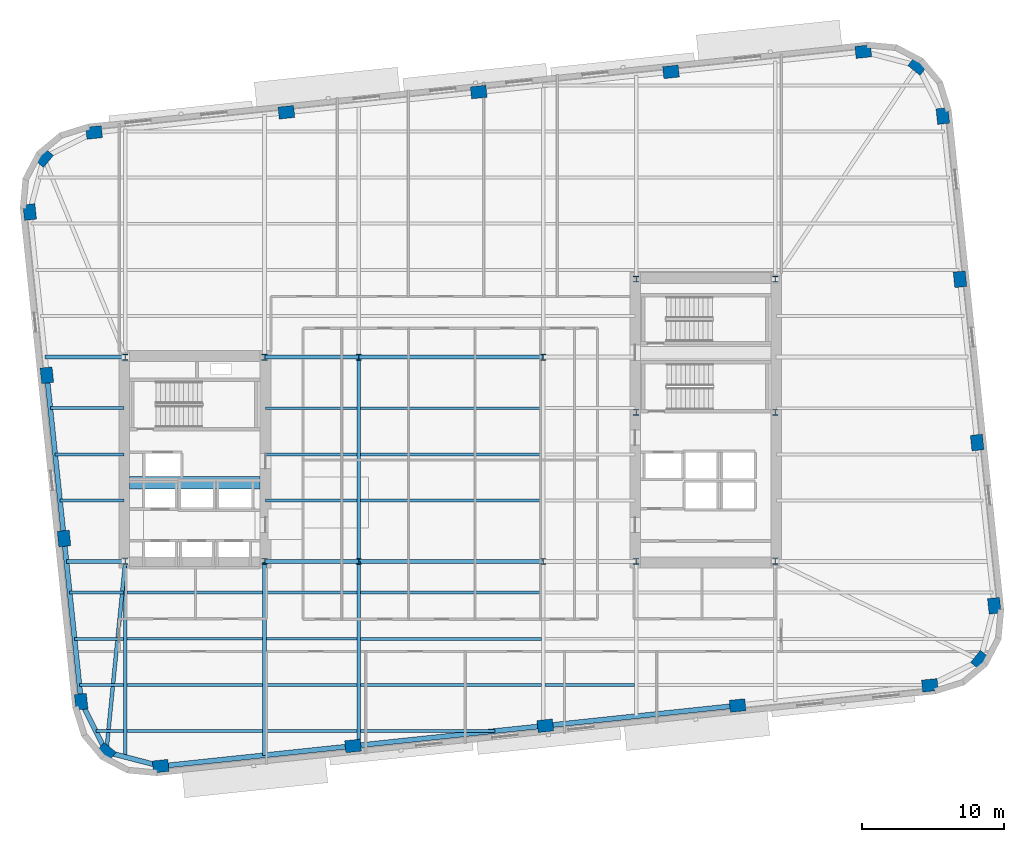
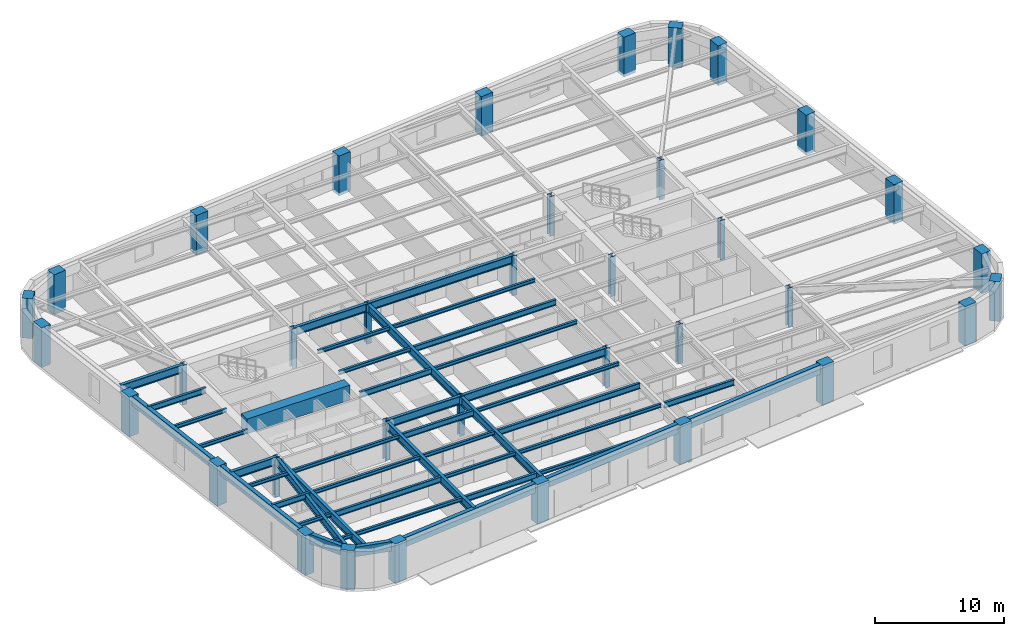
# One storey, part 1 of 13: 45 beams, 36 columns.
"""IFC4 building model written with IfcOpenShell, lengths in metres."""

from ifc_helpers import new_model, si_unit, direction, frame, origin, origin_2d, place, context, subcontext, project, spatial, rectangle, hollow_rectangle, i_section, extrude, material, material_profile, profile_set, type_object, element, save


model = new_model("IFC4")

# Units and contexts
model_context = context("Model", 3, precision=1e-05, world=origin(), true_north=direction((0.0, 1.0)))
body_context = subcontext(model_context, "Body", "Model", "MODEL_VIEW")
ifc_project = project(units=[si_unit("LENGTHUNIT", "METRE"), si_unit("AREAUNIT", "SQUARE_METRE"), si_unit("VOLUMEUNIT", "CUBIC_METRE"), si_unit("PLANEANGLEUNIT", "RADIAN"), si_unit("MASSUNIT", "GRAM", prefix="KILO")], contexts=[model_context])

# Site, building, storey
site_placement = place(None, origin())
site = spatial("IfcSite", under=ifc_project, at=site_placement, CompositionType="ELEMENT")
building_placement = place(site_placement, origin())
building = spatial("IfcBuilding", under=site, at=building_placement, Name="Kolvaren Arena Tower", CompositionType="ELEMENT")
storey_placement = place(building_placement, frame((0.0, 0.0, 145.75)))
storey = spatial("IfcBuildingStorey", under=building, at=storey_placement, Name="L34", CompositionType="ELEMENT", Elevation=145.75)

# Columns
ifc_material_1 = material(Name="Precast concrete C70/85", Category="concrete")
ifc_material_profile_1 = material_profile(ifc_material_1, rectangle(XDim=1.10009765625, YDim=0.85009765625, at=origin_2d()), Name="RC-1100x850")
ifc_profile_set_1 = profile_set([ifc_material_profile_1], Name="Precast concrete C70/85")
column_type_1 = type_object("IfcColumnType", Name="EXCOL-Z2", PredefinedType="COLUMN", material=ifc_profile_set_1)
for number, where, z_axis, x_axis, name in (
    (1, (17.0458984375, 5.024658203125, -0.27001953125), (0.0, 0.0, 1.0), (0.994521895368, 0.104528463268, 0.0), "Exoskeleton Perimeter Column 01 (L34)"),
    (2, (30.59619140625, 6.44873046875, -0.27001953125), (0.0, 0.0, 1.0), (0.994521895368, 0.104528463268, 0.0), "Exoskeleton Perimeter Column 02 (L34)"),
    (3, (44.146728515625, 7.873046875, -0.27001953125), (0.0, 0.0, 1.0), (0.994521895368, 0.104528463268, 0.0), "Exoskeleton Perimeter Column 03 (L34)"),
    (4, (57.697021484375, 9.297119140625, -0.27001953125), (0.0, 0.0, 1.0), (0.994521895368, 0.104528463268, 0.0), "Exoskeleton Perimeter Column 04 (L34)"),
    (5, (71.247314453125, 10.721435546875, -0.27001953125), (0.0, 0.0, 1.0), (0.994521895368, 0.104528463268, 0.0), "Exoskeleton Perimeter Column 05 (L34)"),
    (6, (74.790283203125, 12.49267578125, -0.27001953125), (0.0, 0.0, 1.0), (0.62932039105, 0.777145961457, 0.0), "Exoskeleton Perimeter Column 06 (L34)"),
    (7, (75.786376953125, 16.326416015625, -0.27001953125), (0.0, 0.0, 1.0), (-0.104528463268, 0.994521895368, 0.0), "Exoskeleton Perimeter Column 07 (L34)"),
    (8, (74.577392578125, 27.829833984375, -0.27001953125), (0.0, 0.0, 1.0), (-0.104528463268, 0.994521895368, 0.0), "Exoskeleton Perimeter Column 08 (L34)"),
    (9, (73.368408203125, 39.3330078125, -0.27001953125), (0.0, 0.0, 1.0), (-0.104528463268, 0.994521895368, 0.0), "Exoskeleton Perimeter Column 09 (L34)"),
    (10, (72.1591796875, 50.83642578125, -0.27001953125), (0.0, 0.0, 1.0), (-0.104528463268, 0.994521895368, 0.0), "Exoskeleton Perimeter Column 10 (L34)"),
    (11, (70.387939453125, 54.37939453125, -0.27001953125), (0.0, 0.0, 1.0), (-0.777145961457, 0.62932039105, 0.0), "Exoskeleton Perimeter Column 11 (L34)"),
    (12, (66.55419921875, 55.37548828125, -0.27001953125), (0.0, 0.0, 1.0), (0.994521895368, 0.104528463268, 0.0), "Exoskeleton Perimeter Column 12 (L34)"),
    (13, (53.003662109375, 53.951171875, -0.27001953125), (0.0, 0.0, 1.0), (0.994521895368, 0.104528463268, 0.0), "Exoskeleton Perimeter Column 13 (L34)"),
    (14, (39.453369140625, 52.527099609375, -0.27001953125), (0.0, 0.0, 1.0), (0.994521895368, 0.104528463268, 0.0), "Exoskeleton Perimeter Column 14 (L34)"),
    (15, (25.903076171875, 51.102783203125, -0.27001953125), (0.0, 0.0, 1.0), (0.994521895368, 0.104528463268, 0.0), "Exoskeleton Perimeter Column 15 (L34)"),
    (16, (12.3525390625, 49.6787109375, -0.27001953125), (0.0, 0.0, 1.0), (0.994521895368, 0.104528463268, 0.0), "Exoskeleton Perimeter Column 16 (L34)"),
    (17, (8.8095703125, 47.9072265625, -0.27001953125), (0.0, 0.0, 1.0), (0.62932039105, 0.777145961457, 0.0), "Exoskeleton Perimeter Column 17 (L34)"),
    (18, (7.813720703125, 44.073486328125, -0.27001953125), (0.0, 0.0, 1.0), (-0.104528463268, 0.994521895368, 0.0), "Exoskeleton Perimeter Column 18 (L34)"),
    (19, (9.022705078125, 32.5703125, -0.27001953125), (0.0, 0.0, 1.0), (-0.104528463268, 0.994521895368, 0.0), "Exoskeleton Perimeter Column 19 (L34)"),
    (20, (10.231689453125, 21.06689453125, -0.27001953125), (0.0, 0.0, 1.0), (-0.104528463268, 0.994521895368, 0.0), "Exoskeleton Perimeter Column 20 (L34)"),
    (21, (11.44091796875, 9.5634765625, -0.27001953125), (0.0, 0.0, 1.0), (-0.104528463268, 0.994521895368, 0.0), "Exoskeleton Perimeter Column 21 (L34)"),
    (22, (13.212158203125, 6.0205078125, -0.27001953125), (0.0, 0.0, 1.0), (-0.777145961457, 0.62932039105, 0.0), "Exoskeleton Perimeter Column 22 (L34)"),
):
    element("IfcColumn", number, at=place(storey_placement, frame(where, z_axis=z_axis, x_axis=x_axis)), inside=storey, type_object=column_type_1, Name=name, PredefinedType="COLUMN", context=body_context, shape_type="SweptSolid", body=[
        extrude(rectangle(XDim=1.10009765625, YDim=0.85009765625, at=origin_2d()), origin(), (0.0, 0.0, 1.0), 3.75),
    ])
ifc_material_2 = material(Name="Steel ASTM A913 Grade 65", Category="steel")
ifc_material_profile_2 = material_profile(ifc_material_2, i_section(OverallWidth=0.416015625, OverallDepth=0.446044921875, WebThickness=0.0390625, FlangeThickness=0.062744140625, FilletRadius=0.02001953125, at=origin_2d()), Name="W360x509")
ifc_profile_set_2 = profile_set([ifc_material_profile_2], Name="Steel ASTM A913 Grade 65")
column_type_2 = type_object("IfcColumnType", Name="SCOL-Z2", PredefinedType="COLUMN", material=ifc_profile_set_2)
for number, where, z_axis, x_axis, name in (
    (23, (14.550048828125, 19.449951171875, -0.27001953125), (0.0, 0.0, 1.0), (1.0, 0.0, 0.0), "Core Boundary Column WC-SW (L34)"),
    (24, (24.35009765625, 19.449951171875, -0.27001953125), (0.0, 0.0, 1.0), (1.0, 0.0, 0.0), "Core Boundary Column WC-SE (L34)"),
    (25, (14.550048828125, 33.85009765625, -0.27001953125), (0.0, 0.0, 1.0), (1.0, 0.0, 0.0), "Core Boundary Column WC-NW (L34)"),
    (26, (24.35009765625, 33.85009765625, -0.27001953125), (0.0, 0.0, 1.0), (1.0, 0.0, 0.0), "Core Boundary Column WC-NE (L34)"),
    (27, (50.550048828125, 19.449951171875, -0.27001953125), (0.0, 0.0, 1.0), (1.0, 0.0, 0.0), "Core Boundary Column EC-SW (L34)"),
    (28, (60.35009765625, 19.449951171875, -0.27001953125), (0.0, 0.0, 1.0), (1.0, 0.0, 0.0), "Core Boundary Column EC-SE (L34)"),
    (29, (50.550048828125, 29.949951171875, -0.27001953125), (0.0, 0.0, 1.0), (1.0, 0.0, 0.0), "Core Boundary Column EC-MW (L34)"),
    (30, (60.35009765625, 29.949951171875, -0.27001953125), (0.0, 0.0, 1.0), (1.0, 0.0, 0.0), "Core Boundary Column EC-ME (L34)"),
    (31, (50.550048828125, 39.35009765625, -0.27001953125), (0.0, 0.0, 1.0), (1.0, 0.0, 0.0), "Core Boundary Column EC-NW (L34)"),
    (32, (60.35009765625, 39.35009765625, -0.27001953125), (0.0, 0.0, 1.0), (1.0, 0.0, 0.0), "Core Boundary Column EC-NE (L34)"),
    (33, (31.0, 19.449951171875, -0.27001953125), (0.0, 0.0, 1.0), (1.0, 0.0, 0.0), "Interior Gravity Column TC-SW (L34)"),
    (34, (44.0, 19.449951171875, -0.27001953125), (0.0, 0.0, 1.0), (1.0, 0.0, 0.0), "Interior Gravity Column TC-SE (L34)"),
    (35, (31.0, 33.85009765625, -0.27001953125), (0.0, 0.0, 1.0), (1.0, 0.0, 0.0), "Interior Gravity Column TC-NW (L34)"),
    (36, (44.0, 33.85009765625, -0.27001953125), (0.0, 0.0, 1.0), (1.0, 0.0, 0.0), "Interior Gravity Column TC-NE (L34)"),
):
    element("IfcColumn", number, at=place(storey_placement, frame(where, z_axis=z_axis, x_axis=x_axis)), inside=storey, type_object=column_type_2, Name=name, PredefinedType="COLUMN", context=body_context, shape_type="SweptSolid", body=[
        extrude(i_section(OverallWidth=0.416015625, OverallDepth=0.446044921875, WebThickness=0.0390625, FlangeThickness=0.062744140625, FilletRadius=0.02001953125, at=origin_2d()), origin(), (0.0, 0.0, 1.0), 3.75),
    ])

# Beams
ifc_material_3 = material(Name="Steel CSA G40.21 350W", Category="steel")
ifc_material_profile_3 = material_profile(ifc_material_3, i_section(OverallWidth=0.2119140625, OverallDepth=0.54296875, WebThickness=0.01318359375, FlangeThickness=0.0244140625, FilletRadius=0.013916015625, at=origin_2d()), Name="W530x150")
ifc_profile_set_3 = profile_set([ifc_material_profile_3], Name="Steel CSA G40.21 350W")
beam_type_1 = type_object("IfcBeamType", Name="BEAM-F1", PredefinedType="BEAM", material=ifc_profile_set_3)
beam_1_placement = place(storey_placement, frame((24.485107421875, 7.5, 3.20849609375), z_axis=(1.0, 0.0, 0.0), x_axis=(0.0, 1.0, 0.0)))
element("IfcBeam", 37, at=beam_1_placement, inside=storey, type_object=beam_type_1, Name="Composite Floor Beam (L34)", PredefinedType="BEAM", context=body_context, shape_type="SweptSolid", body=[
    extrude(i_section(OverallWidth=0.2119140625, OverallDepth=0.54296875, WebThickness=0.01318359375, FlangeThickness=0.0244140625, FilletRadius=0.013916015625, at=origin_2d()), origin(), (0.0, 0.0, 1.0), 6.3798828125),
])
beam_2_placement = place(storey_placement, frame((14.68505859375, 10.75, 3.20849609375), z_axis=(1.0, 0.0, 0.0), x_axis=(0.0, 1.0, 0.0)))
element("IfcBeam", 38, at=beam_2_placement, inside=storey, type_object=beam_type_1, Name="Composite Floor Beam (L34)", PredefinedType="BEAM", context=body_context, shape_type="SweptSolid", body=[
    extrude(i_section(OverallWidth=0.2119140625, OverallDepth=0.54296875, WebThickness=0.01318359375, FlangeThickness=0.0244140625, FilletRadius=0.013916015625, at=origin_2d()), origin(), (0.0, 0.0, 1.0), 9.530029296875),
])
beam_3_placement = place(storey_placement, frame((44.135009765625, 10.75, 3.20849609375), z_axis=(1.0, 0.0, 0.0), x_axis=(0.0, 1.0, 0.0)))
element("IfcBeam", 39, at=beam_3_placement, inside=storey, type_object=beam_type_1, Name="Composite Floor Beam (L34)", PredefinedType="BEAM", context=body_context, shape_type="SweptSolid", body=[
    extrude(i_section(OverallWidth=0.2119140625, OverallDepth=0.54296875, WebThickness=0.01318359375, FlangeThickness=0.0244140625, FilletRadius=0.013916015625, at=origin_2d()), origin(), (0.0, 0.0, 1.0), 6.280029296875),
])
beam_4_placement = place(storey_placement, frame((10.974609375, 14.0, 3.20849609375), z_axis=(1.0, 0.0, 0.0), x_axis=(0.0, 1.0, 0.0)))
element("IfcBeam", 40, at=beam_4_placement, inside=storey, type_object=beam_type_1, Name="Composite Floor Beam (L34)", PredefinedType="BEAM", context=body_context, shape_type="SweptSolid", body=[
    extrude(i_section(OverallWidth=0.2119140625, OverallDepth=0.54296875, WebThickness=0.01318359375, FlangeThickness=0.0244140625, FilletRadius=0.013916015625, at=origin_2d()), origin(), (0.0, 0.0, 1.0), 3.4404296875),
])
beam_5_placement = place(storey_placement, frame((31.135009765625, 14.0, 3.20849609375), z_axis=(1.0, 0.0, 0.0), x_axis=(0.0, 1.0, 0.0)))
element("IfcBeam", 41, at=beam_5_placement, inside=storey, type_object=beam_type_1, Name="Composite Floor Beam (L34)", PredefinedType="BEAM", context=body_context, shape_type="SweptSolid", body=[
    extrude(i_section(OverallWidth=0.2119140625, OverallDepth=0.54296875, WebThickness=0.01318359375, FlangeThickness=0.0244140625, FilletRadius=0.013916015625, at=origin_2d()), origin(), (0.0, 0.0, 1.0), 12.72998046875),
])
beam_6_placement = place(storey_placement, frame((24.485107421875, 17.25, 3.20849609375), z_axis=(1.0, 0.0, 0.0), x_axis=(0.0, 1.0, 0.0)))
element("IfcBeam", 42, at=beam_6_placement, inside=storey, type_object=beam_type_1, Name="Composite Floor Beam (L34)", PredefinedType="BEAM", context=body_context, shape_type="SweptSolid", body=[
    extrude(i_section(OverallWidth=0.2119140625, OverallDepth=0.54296875, WebThickness=0.01318359375, FlangeThickness=0.0244140625, FilletRadius=0.013916015625, at=origin_2d()), origin(), (0.0, 0.0, 1.0), 6.3798828125),
])
beam_7_placement = place(storey_placement, frame((24.445068359375, 23.75, 3.20849609375), z_axis=(1.0, 0.0, 0.0), x_axis=(0.0, 1.0, 0.0)))
element("IfcBeam", 43, at=beam_7_placement, inside=storey, type_object=beam_type_1, Name="Composite Floor Beam (L34)", PredefinedType="BEAM", context=body_context, shape_type="SweptSolid", body=[
    extrude(i_section(OverallWidth=0.2119140625, OverallDepth=0.54296875, WebThickness=0.01318359375, FlangeThickness=0.0244140625, FilletRadius=0.013916015625, at=origin_2d()), origin(), (0.0, 0.0, 1.0), 6.419921875),
])
beam_8_placement = place(storey_placement, frame((31.135009765625, 27.0, 3.20849609375), z_axis=(1.0, 0.0, 0.0), x_axis=(0.0, 1.0, 0.0)))
element("IfcBeam", 44, at=beam_8_placement, inside=storey, type_object=beam_type_1, Name="Composite Floor Beam (L34)", PredefinedType="BEAM", context=body_context, shape_type="SweptSolid", body=[
    extrude(i_section(OverallWidth=0.2119140625, OverallDepth=0.54296875, WebThickness=0.01318359375, FlangeThickness=0.0244140625, FilletRadius=0.013916015625, at=origin_2d()), origin(), (0.0, 0.0, 1.0), 12.72998046875),
])
beam_9_placement = place(storey_placement, frame((9.2666015625, 30.25, 3.20849609375), z_axis=(1.0, 0.0, 0.0), x_axis=(0.0, 1.0, 0.0)))
element("IfcBeam", 45, at=beam_9_placement, inside=storey, type_object=beam_type_1, Name="Composite Floor Beam (L34)", PredefinedType="BEAM", context=body_context, shape_type="SweptSolid", body=[
    extrude(i_section(OverallWidth=0.2119140625, OverallDepth=0.54296875, WebThickness=0.01318359375, FlangeThickness=0.0244140625, FilletRadius=0.013916015625, at=origin_2d()), origin(), (0.0, 0.0, 1.0), 5.1884765625),
])
ifc_material_4 = material(Name="Concrete 75 MPa", Category="concrete")
ifc_material_profile_4 = material_profile(ifc_material_4, rectangle(XDim=0.89990234375, YDim=1.39990234375, at=origin_2d()), Name="RC-900x1400")
ifc_profile_set_4 = profile_set([ifc_material_profile_4], Name="Concrete 75 MPa")
beam_type_2 = type_object("IfcBeamType", Name="CB-CORE-1", PredefinedType="BEAM", material=ifc_profile_set_4)
beam_10_placement = place(storey_placement, frame((14.85009765625, 25.0, 3.050048828125), z_axis=(1.0, 0.0, 0.0), x_axis=(0.0, 1.0, 0.0)))
element("IfcBeam", 46, at=beam_10_placement, inside=storey, type_object=beam_type_2, Name="West Core Coupling Beam (L34)", PredefinedType="BEAM", context=body_context, shape_type="SweptSolid", body=[
    extrude(rectangle(XDim=0.89990234375, YDim=1.39990234375, at=origin_2d()), origin(), (0.0, 0.0, 1.0), 9.199951171875),
])
ifc_material_profile_5 = material_profile(ifc_material_3, i_section(OverallWidth=0.27001953125, OverallDepth=0.77294921875, WebThickness=0.019287109375, FlangeThickness=0.033447265625, FilletRadius=0.01806640625, at=origin_2d()), Name="W760x257")
ifc_profile_set_5 = profile_set([ifc_material_profile_5], Name="Steel CSA G40.21 350W")
beam_type_3 = type_object("IfcBeamType", Name="GIRD-T1", PredefinedType="BEAM", material=ifc_profile_set_5)
beam_11_placement = place(storey_placement, frame((13.212158203125, 6.0205078125, 3.093505859375), z_axis=(0.099132957575, 0.995074196592, 0.0), x_axis=(-0.995074196592, 0.099132957575, 0.0)))
element("IfcBeam", 47, at=beam_11_placement, inside=storey, type_object=beam_type_3, Name="Corner Diagonal Tie Girder (L34)", PredefinedType="BEAM", context=body_context, shape_type="SweptSolid", body=[
    extrude(i_section(OverallWidth=0.27001953125, OverallDepth=0.77294921875, WebThickness=0.019287109375, FlangeThickness=0.033447265625, FilletRadius=0.01806640625, at=origin_2d()), origin(), (0.0, 0.0, 1.0), 13.495849609375),
])
beam_12_placement = place(storey_placement, frame((10.401611328125, 19.449951171875, 3.093505859375), z_axis=(1.0, 0.0, 0.0), x_axis=(0.0, 1.0, 0.0)))
element("IfcBeam", 48, at=beam_12_placement, inside=storey, type_object=beam_type_3, Name="Primary Floor Girder (L34)", PredefinedType="BEAM", context=body_context, shape_type="SweptSolid", body=[
    extrude(i_section(OverallWidth=0.27001953125, OverallDepth=0.77294921875, WebThickness=0.019287109375, FlangeThickness=0.033447265625, FilletRadius=0.01806640625, at=origin_2d()), origin(), (0.0, 0.0, 1.0), 4.093505859375),
])
beam_13_placement = place(storey_placement, frame((24.405029296875, 19.449951171875, 3.093505859375), z_axis=(1.0, 0.0, 0.0), x_axis=(0.0, 1.0, 0.0)))
element("IfcBeam", 49, at=beam_13_placement, inside=storey, type_object=beam_type_3, Name="Primary Floor Girder (L34)", PredefinedType="BEAM", context=body_context, shape_type="SweptSolid", body=[
    extrude(i_section(OverallWidth=0.27001953125, OverallDepth=0.77294921875, WebThickness=0.019287109375, FlangeThickness=0.033447265625, FilletRadius=0.01806640625, at=origin_2d()), origin(), (0.0, 0.0, 1.0), 6.594970703125),
])
beam_14_placement = place(storey_placement, frame((31.0, 19.449951171875, 3.093505859375), z_axis=(1.0, 0.0, 0.0), x_axis=(0.0, 1.0, 0.0)))
element("IfcBeam", 50, at=beam_14_placement, inside=storey, type_object=beam_type_3, Name="Primary Floor Girder (L34)", PredefinedType="BEAM", context=body_context, shape_type="SweptSolid", body=[
    extrude(i_section(OverallWidth=0.27001953125, OverallDepth=0.77294921875, WebThickness=0.019287109375, FlangeThickness=0.033447265625, FilletRadius=0.01806640625, at=origin_2d()), origin(), (0.0, 0.0, 1.0), 13.0),
])
beam_15_placement = place(storey_placement, frame((8.88818359375, 33.85009765625, 3.093505859375), z_axis=(1.0, 0.0, 0.0), x_axis=(0.0, 1.0, 0.0)))
element("IfcBeam", 51, at=beam_15_placement, inside=storey, type_object=beam_type_3, Name="Primary Floor Girder (L34)", PredefinedType="BEAM", context=body_context, shape_type="SweptSolid", body=[
    extrude(i_section(OverallWidth=0.27001953125, OverallDepth=0.77294921875, WebThickness=0.019287109375, FlangeThickness=0.033447265625, FilletRadius=0.01806640625, at=origin_2d()), origin(), (0.0, 0.0, 1.0), 5.60693359375),
])
beam_16_placement = place(storey_placement, frame((24.405029296875, 33.85009765625, 3.093505859375), z_axis=(1.0, 0.0, 0.0), x_axis=(0.0, 1.0, 0.0)))
element("IfcBeam", 52, at=beam_16_placement, inside=storey, type_object=beam_type_3, Name="Primary Floor Girder (L34)", PredefinedType="BEAM", context=body_context, shape_type="SweptSolid", body=[
    extrude(i_section(OverallWidth=0.27001953125, OverallDepth=0.77294921875, WebThickness=0.019287109375, FlangeThickness=0.033447265625, FilletRadius=0.01806640625, at=origin_2d()), origin(), (0.0, 0.0, 1.0), 6.594970703125),
])
beam_17_placement = place(storey_placement, frame((31.0, 33.85009765625, 3.093505859375), z_axis=(1.0, 0.0, 0.0), x_axis=(0.0, 1.0, 0.0)))
element("IfcBeam", 53, at=beam_17_placement, inside=storey, type_object=beam_type_3, Name="Primary Floor Girder (L34)", PredefinedType="BEAM", context=body_context, shape_type="SweptSolid", body=[
    extrude(i_section(OverallWidth=0.27001953125, OverallDepth=0.77294921875, WebThickness=0.019287109375, FlangeThickness=0.033447265625, FilletRadius=0.01806640625, at=origin_2d()), origin(), (0.0, 0.0, 1.0), 13.0),
])
beam_18_placement = place(storey_placement, frame((14.550048828125, 5.673095703125, 3.093505859375), z_axis=(0.0, 1.0, 0.0), x_axis=(-1.0, 0.0, 0.0)))
element("IfcBeam", 54, at=beam_18_placement, inside=storey, type_object=beam_type_3, Name="Primary Floor Girder (L34)", PredefinedType="BEAM", context=body_context, shape_type="SweptSolid", body=[
    extrude(i_section(OverallWidth=0.27001953125, OverallDepth=0.77294921875, WebThickness=0.019287109375, FlangeThickness=0.033447265625, FilletRadius=0.01806640625, at=origin_2d()), origin(), (0.0, 0.0, 1.0), 13.721923828125),
])
beam_19_placement = place(storey_placement, frame((24.35009765625, 5.792236328125, 3.093505859375), z_axis=(0.0, 1.0, 0.0), x_axis=(-1.0, 0.0, 0.0)))
element("IfcBeam", 55, at=beam_19_placement, inside=storey, type_object=beam_type_3, Name="Primary Floor Girder (L34)", PredefinedType="BEAM", context=body_context, shape_type="SweptSolid", body=[
    extrude(i_section(OverallWidth=0.27001953125, OverallDepth=0.77294921875, WebThickness=0.019287109375, FlangeThickness=0.033447265625, FilletRadius=0.01806640625, at=origin_2d()), origin(), (0.0, 0.0, 1.0), 13.602783203125),
])
beam_20_placement = place(storey_placement, frame((31.0, 6.4912109375, 3.093505859375), z_axis=(0.0, 1.0, 0.0), x_axis=(-1.0, 0.0, 0.0)))
element("IfcBeam", 56, at=beam_20_placement, inside=storey, type_object=beam_type_3, Name="Primary Floor Girder (L34)", PredefinedType="BEAM", context=body_context, shape_type="SweptSolid", body=[
    extrude(i_section(OverallWidth=0.27001953125, OverallDepth=0.77294921875, WebThickness=0.019287109375, FlangeThickness=0.033447265625, FilletRadius=0.01806640625, at=origin_2d()), origin(), (0.0, 0.0, 1.0), 12.958740234375),
])
beam_21_placement = place(storey_placement, frame((31.0, 19.449951171875, 3.093505859375), z_axis=(0.0, 1.0, 0.0), x_axis=(-1.0, 0.0, 0.0)))
element("IfcBeam", 57, at=beam_21_placement, inside=storey, type_object=beam_type_3, Name="Primary Floor Girder (L34)", PredefinedType="BEAM", context=body_context, shape_type="SweptSolid", body=[
    extrude(i_section(OverallWidth=0.27001953125, OverallDepth=0.77294921875, WebThickness=0.019287109375, FlangeThickness=0.033447265625, FilletRadius=0.01806640625, at=origin_2d()), origin(), (0.0, 0.0, 1.0), 14.400146484375),
])
ifc_material_profile_6 = material_profile(ifc_material_3, i_section(OverallWidth=0.202880859375, OverallDepth=0.346923828125, WebThickness=0.0078125, FlangeThickness=0.013427734375, FilletRadius=0.010986328125, at=origin_2d()), Name="W360x64")
ifc_profile_set_6 = profile_set([ifc_material_profile_6], Name="Steel CSA G40.21 350W")
beam_type_4 = type_object("IfcBeamType", Name="JOIST-01", PredefinedType="JOIST", material=ifc_profile_set_6)
beam_22_placement = place(storey_placement, frame((12.472412109375, 7.5, 3.306396484375), z_axis=(1.0, 0.0, 0.0), x_axis=(0.0, 1.0, 0.0)))
element("IfcBeam", 58, at=beam_22_placement, inside=storey, type_object=beam_type_4, Name="Composite Floor Joist (L34)", PredefinedType="JOIST", context=body_context, shape_type="SweptSolid", body=[
    extrude(i_section(OverallWidth=0.202880859375, OverallDepth=0.346923828125, WebThickness=0.0078125, FlangeThickness=0.013427734375, FilletRadius=0.010986328125, at=origin_2d()), origin(), (0.0, 0.0, 1.0), 1.942626953125),
])
beam_23_placement = place(storey_placement, frame((14.68505859375, 7.5, 3.306396484375), z_axis=(1.0, 0.0, 0.0), x_axis=(0.0, 1.0, 0.0)))
element("IfcBeam", 59, at=beam_23_placement, inside=storey, type_object=beam_type_4, Name="Composite Floor Joist (L34)", PredefinedType="JOIST", context=body_context, shape_type="SweptSolid", body=[
    extrude(i_section(OverallWidth=0.202880859375, OverallDepth=0.346923828125, WebThickness=0.0078125, FlangeThickness=0.013427734375, FilletRadius=0.010986328125, at=origin_2d()), origin(), (0.0, 0.0, 1.0), 9.530029296875),
])
beam_24_placement = place(storey_placement, frame((31.135009765625, 7.5, 3.306396484375), z_axis=(1.0, 0.0, 0.0), x_axis=(0.0, 1.0, 0.0)))
element("IfcBeam", 60, at=beam_24_placement, inside=storey, type_object=beam_type_4, Name="Composite Floor Joist (L34)", PredefinedType="JOIST", context=body_context, shape_type="SweptSolid", body=[
    extrude(i_section(OverallWidth=0.202880859375, OverallDepth=0.346923828125, WebThickness=0.0078125, FlangeThickness=0.013427734375, FilletRadius=0.010986328125, at=origin_2d()), origin(), (0.0, 0.0, 1.0), 9.462890625),
])
beam_25_placement = place(storey_placement, frame((11.316162109375, 10.75, 3.306396484375), z_axis=(1.0, 0.0, 0.0), x_axis=(0.0, 1.0, 0.0)))
element("IfcBeam", 61, at=beam_25_placement, inside=storey, type_object=beam_type_4, Name="Composite Floor Joist (L34)", PredefinedType="JOIST", context=body_context, shape_type="SweptSolid", body=[
    extrude(i_section(OverallWidth=0.202880859375, OverallDepth=0.346923828125, WebThickness=0.0078125, FlangeThickness=0.013427734375, FilletRadius=0.010986328125, at=origin_2d()), origin(), (0.0, 0.0, 1.0), 3.098876953125),
])
beam_26_placement = place(storey_placement, frame((24.485107421875, 10.75, 3.306396484375), z_axis=(1.0, 0.0, 0.0), x_axis=(0.0, 1.0, 0.0)))
element("IfcBeam", 62, at=beam_26_placement, inside=storey, type_object=beam_type_4, Name="Composite Floor Joist (L34)", PredefinedType="JOIST", context=body_context, shape_type="SweptSolid", body=[
    extrude(i_section(OverallWidth=0.202880859375, OverallDepth=0.346923828125, WebThickness=0.0078125, FlangeThickness=0.013427734375, FilletRadius=0.010986328125, at=origin_2d()), origin(), (0.0, 0.0, 1.0), 6.3798828125),
])
beam_27_placement = place(storey_placement, frame((31.135009765625, 10.75, 3.306396484375), z_axis=(1.0, 0.0, 0.0), x_axis=(0.0, 1.0, 0.0)))
element("IfcBeam", 63, at=beam_27_placement, inside=storey, type_object=beam_type_4, Name="Composite Floor Joist (L34)", PredefinedType="JOIST", context=body_context, shape_type="SweptSolid", body=[
    extrude(i_section(OverallWidth=0.202880859375, OverallDepth=0.346923828125, WebThickness=0.0078125, FlangeThickness=0.013427734375, FilletRadius=0.010986328125, at=origin_2d()), origin(), (0.0, 0.0, 1.0), 12.72998046875),
])
beam_28_placement = place(storey_placement, frame((14.68505859375, 14.0, 3.306396484375), z_axis=(1.0, 0.0, 0.0), x_axis=(0.0, 1.0, 0.0)))
element("IfcBeam", 64, at=beam_28_placement, inside=storey, type_object=beam_type_4, Name="Composite Floor Joist (L34)", PredefinedType="JOIST", context=body_context, shape_type="SweptSolid", body=[
    extrude(i_section(OverallWidth=0.202880859375, OverallDepth=0.346923828125, WebThickness=0.0078125, FlangeThickness=0.013427734375, FilletRadius=0.010986328125, at=origin_2d()), origin(), (0.0, 0.0, 1.0), 9.530029296875),
])
beam_29_placement = place(storey_placement, frame((24.485107421875, 14.0, 3.306396484375), z_axis=(1.0, 0.0, 0.0), x_axis=(0.0, 1.0, 0.0)))
element("IfcBeam", 65, at=beam_29_placement, inside=storey, type_object=beam_type_4, Name="Composite Floor Joist (L34)", PredefinedType="JOIST", context=body_context, shape_type="SweptSolid", body=[
    extrude(i_section(OverallWidth=0.202880859375, OverallDepth=0.346923828125, WebThickness=0.0078125, FlangeThickness=0.013427734375, FilletRadius=0.010986328125, at=origin_2d()), origin(), (0.0, 0.0, 1.0), 6.3798828125),
])
beam_30_placement = place(storey_placement, frame((10.6328125, 17.25, 3.306396484375), z_axis=(1.0, 0.0, 0.0), x_axis=(0.0, 1.0, 0.0)))
element("IfcBeam", 66, at=beam_30_placement, inside=storey, type_object=beam_type_4, Name="Composite Floor Joist (L34)", PredefinedType="JOIST", context=body_context, shape_type="SweptSolid", body=[
    extrude(i_section(OverallWidth=0.202880859375, OverallDepth=0.346923828125, WebThickness=0.0078125, FlangeThickness=0.013427734375, FilletRadius=0.010986328125, at=origin_2d()), origin(), (0.0, 0.0, 1.0), 3.7822265625),
])
beam_31_placement = place(storey_placement, frame((14.68505859375, 17.25, 3.306396484375), z_axis=(1.0, 0.0, 0.0), x_axis=(0.0, 1.0, 0.0)))
element("IfcBeam", 67, at=beam_31_placement, inside=storey, type_object=beam_type_4, Name="Composite Floor Joist (L34)", PredefinedType="JOIST", context=body_context, shape_type="SweptSolid", body=[
    extrude(i_section(OverallWidth=0.202880859375, OverallDepth=0.346923828125, WebThickness=0.0078125, FlangeThickness=0.013427734375, FilletRadius=0.010986328125, at=origin_2d()), origin(), (0.0, 0.0, 1.0), 9.530029296875),
])
beam_32_placement = place(storey_placement, frame((31.135009765625, 17.25, 3.306396484375), z_axis=(1.0, 0.0, 0.0), x_axis=(0.0, 1.0, 0.0)))
element("IfcBeam", 68, at=beam_32_placement, inside=storey, type_object=beam_type_4, Name="Composite Floor Joist (L34)", PredefinedType="JOIST", context=body_context, shape_type="SweptSolid", body=[
    extrude(i_section(OverallWidth=0.202880859375, OverallDepth=0.346923828125, WebThickness=0.0078125, FlangeThickness=0.013427734375, FilletRadius=0.010986328125, at=origin_2d()), origin(), (0.0, 0.0, 1.0), 12.72998046875),
])
beam_33_placement = place(storey_placement, frame((9.94970703125, 23.75, 3.306396484375), z_axis=(1.0, 0.0, 0.0), x_axis=(0.0, 1.0, 0.0)))
element("IfcBeam", 69, at=beam_33_placement, inside=storey, type_object=beam_type_4, Name="Composite Floor Joist (L34)", PredefinedType="JOIST", context=body_context, shape_type="SweptSolid", body=[
    extrude(i_section(OverallWidth=0.202880859375, OverallDepth=0.346923828125, WebThickness=0.0078125, FlangeThickness=0.013427734375, FilletRadius=0.010986328125, at=origin_2d()), origin(), (0.0, 0.0, 1.0), 4.50537109375),
])
beam_34_placement = place(storey_placement, frame((31.135009765625, 23.75, 3.306396484375), z_axis=(1.0, 0.0, 0.0), x_axis=(0.0, 1.0, 0.0)))
element("IfcBeam", 70, at=beam_34_placement, inside=storey, type_object=beam_type_4, Name="Composite Floor Joist (L34)", PredefinedType="JOIST", context=body_context, shape_type="SweptSolid", body=[
    extrude(i_section(OverallWidth=0.202880859375, OverallDepth=0.346923828125, WebThickness=0.0078125, FlangeThickness=0.013427734375, FilletRadius=0.010986328125, at=origin_2d()), origin(), (0.0, 0.0, 1.0), 12.72998046875),
])
beam_35_placement = place(storey_placement, frame((9.608154296875, 27.0, 3.306396484375), z_axis=(1.0, 0.0, 0.0), x_axis=(0.0, 1.0, 0.0)))
element("IfcBeam", 71, at=beam_35_placement, inside=storey, type_object=beam_type_4, Name="Composite Floor Joist (L34)", PredefinedType="JOIST", context=body_context, shape_type="SweptSolid", body=[
    extrude(i_section(OverallWidth=0.202880859375, OverallDepth=0.346923828125, WebThickness=0.0078125, FlangeThickness=0.013427734375, FilletRadius=0.010986328125, at=origin_2d()), origin(), (0.0, 0.0, 1.0), 4.846923828125),
])
for number, where, z_axis, x_axis, name in (
    (72, (24.445068359375, 27.0, 3.306396484375), (1.0, 0.0, 0.0), (0.0, 1.0, 0.0), "Composite Floor Joist (L34)"),
    (73, (24.445068359375, 30.25, 3.306396484375), (1.0, 0.0, 0.0), (0.0, 1.0, 0.0), "Composite Floor Joist (L34)"),
):
    element("IfcBeam", number, at=place(storey_placement, frame(where, z_axis=z_axis, x_axis=x_axis)), inside=storey, type_object=beam_type_4, Name=name, PredefinedType="JOIST", context=body_context, shape_type="SweptSolid", body=[
        extrude(i_section(OverallWidth=0.202880859375, OverallDepth=0.346923828125, WebThickness=0.0078125, FlangeThickness=0.013427734375, FilletRadius=0.010986328125, at=origin_2d()), origin(), (0.0, 0.0, 1.0), 6.419921875),
    ])
beam_36_placement = place(storey_placement, frame((31.135009765625, 30.25, 3.306396484375), z_axis=(1.0, 0.0, 0.0), x_axis=(0.0, 1.0, 0.0)))
element("IfcBeam", 74, at=beam_36_placement, inside=storey, type_object=beam_type_4, Name="Composite Floor Joist (L34)", PredefinedType="JOIST", context=body_context, shape_type="SweptSolid", body=[
    extrude(i_section(OverallWidth=0.202880859375, OverallDepth=0.346923828125, WebThickness=0.0078125, FlangeThickness=0.013427734375, FilletRadius=0.010986328125, at=origin_2d()), origin(), (0.0, 0.0, 1.0), 12.72998046875),
])
ifc_material_5 = material(Name="Steel CSA G40.21 350WT", Category="steel")
ifc_material_profile_7 = material_profile(ifc_material_5, hollow_rectangle(XDim=0.35009765625, YDim=0.89990234375, WallThickness=0.02001953125, at=origin_2d()), Name="HSS 900x350x20")
ifc_profile_set_7 = profile_set([ifc_material_profile_7], Name="Steel CSA G40.21 350WT")
beam_type_5 = type_object("IfcBeamType", Name="SPAND-01", PredefinedType="SPANDREL", material=ifc_profile_set_7)
beam_37_placement = place(storey_placement, frame((17.0458984375, 5.024658203125, 3.030029296875), z_axis=(0.994522817887, 0.104519685718, 0.0), x_axis=(-0.104519685718, 0.994522817887, 0.0)))
element("IfcBeam", 75, at=beam_37_placement, inside=storey, type_object=beam_type_5, Name="Perimeter Spandrel Beam (L34)", PredefinedType="SPANDREL", context=body_context, shape_type="SweptSolid", body=[
    extrude(hollow_rectangle(XDim=0.35009765625, YDim=0.89990234375, WallThickness=0.02001953125, at=origin_2d()), origin(), (0.0, 0.0, 1.0), 13.625),
])
beam_38_placement = place(storey_placement, frame((30.59619140625, 6.44873046875, 3.030029296875), z_axis=(0.994521150946, 0.104535545729, 0.0), x_axis=(-0.104535545729, 0.994521150946, 0.0)))
element("IfcBeam", 76, at=beam_38_placement, inside=storey, type_object=beam_type_5, Name="Perimeter Spandrel Beam (L34)", PredefinedType="SPANDREL", context=body_context, shape_type="SweptSolid", body=[
    extrude(hollow_rectangle(XDim=0.35009765625, YDim=0.89990234375, WallThickness=0.02001953125, at=origin_2d()), origin(), (0.0, 0.0, 1.0), 13.625244140625),
])
beam_39_placement = place(storey_placement, frame((44.146728515625, 7.873046875, 3.030029296875), z_axis=(0.994522817887, 0.104519685718, 0.0), x_axis=(-0.104519685718, 0.994522817887, 0.0)))
element("IfcBeam", 77, at=beam_39_placement, inside=storey, type_object=beam_type_5, Name="Perimeter Spandrel Beam (L34)", PredefinedType="SPANDREL", context=body_context, shape_type="SweptSolid", body=[
    extrude(hollow_rectangle(XDim=0.35009765625, YDim=0.89990234375, WallThickness=0.02001953125, at=origin_2d()), origin(), (0.0, 0.0, 1.0), 13.625),
])
for number, where, z_axis, x_axis, name in (
    (78, (9.022705078125, 32.5703125, 3.030029296875), (0.104522171998, -0.994522556587, 0.0), (0.994522556587, 0.104522171998, 0.0), "Perimeter Spandrel Beam (L34)"),
    (79, (10.231689453125, 21.06689453125, 3.030029296875), (0.104543048399, -0.994520362301, 0.0), (0.994520362301, 0.104543048399, 0.0), "Perimeter Spandrel Beam (L34)"),
):
    element("IfcBeam", number, at=place(storey_placement, frame(where, z_axis=z_axis, x_axis=x_axis)), inside=storey, type_object=beam_type_5, Name=name, PredefinedType="SPANDREL", context=body_context, shape_type="SweptSolid", body=[
        extrude(hollow_rectangle(XDim=0.35009765625, YDim=0.89990234375, WallThickness=0.02001953125, at=origin_2d()), origin(), (0.0, 0.0, 1.0), 11.56689453125),
    ])
for number, where, z_axis, x_axis, name in (
    (80, (11.44091796875, 9.5634765625, 3.030029296875), (0.44716428656, -0.894451843771, 0.0), (0.894451843771, 0.44716428656, 0.0), "Perimeter Spandrel Beam (L34)"),
    (81, (13.212158203125, 6.0205078125, 3.030029296875), (0.96787922294, -0.25141561169, 0.0), (0.25141561169, 0.96787922294, 0.0), "Perimeter Spandrel Beam (L34)"),
):
    element("IfcBeam", number, at=place(storey_placement, frame(where, z_axis=z_axis, x_axis=x_axis)), inside=storey, type_object=beam_type_5, Name=name, PredefinedType="SPANDREL", context=body_context, shape_type="SweptSolid", body=[
        extrude(hollow_rectangle(XDim=0.35009765625, YDim=0.89990234375, WallThickness=0.02001953125, at=origin_2d()), origin(), (0.0, 0.0, 1.0), 3.9609375),
    ])

save(model, "model.ifc")
